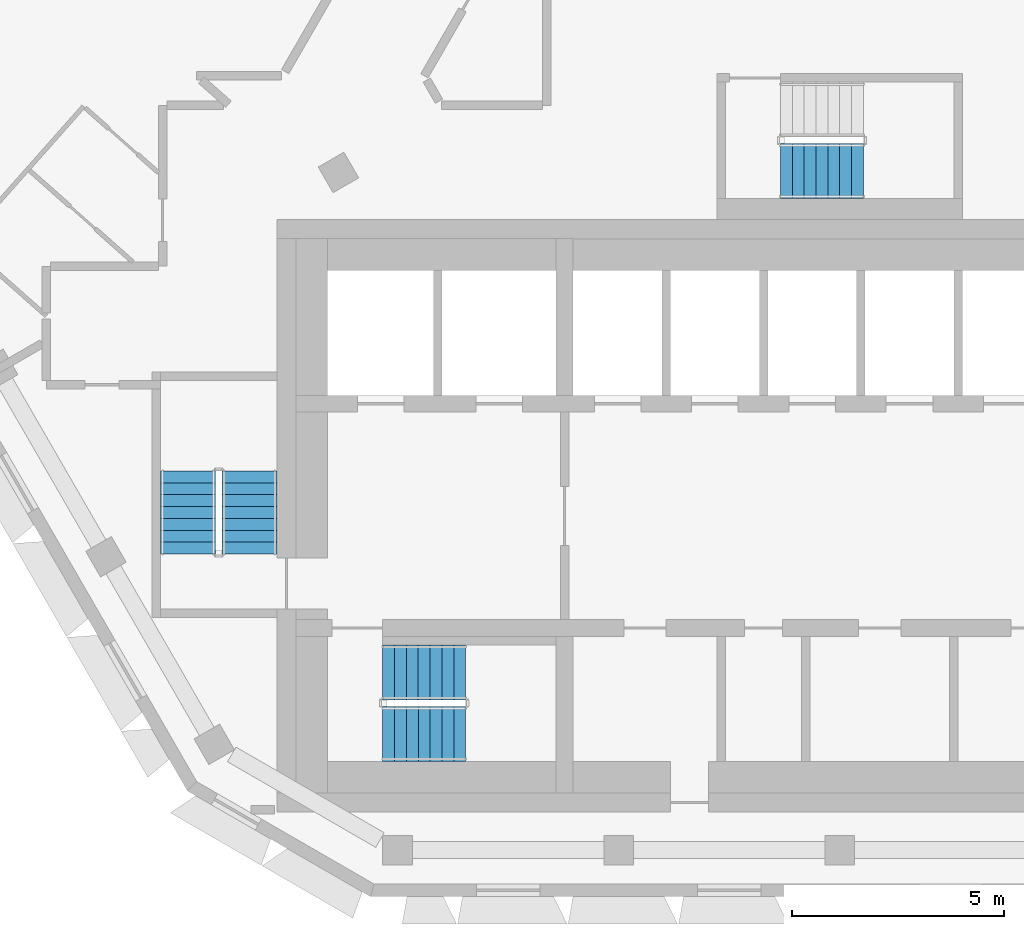
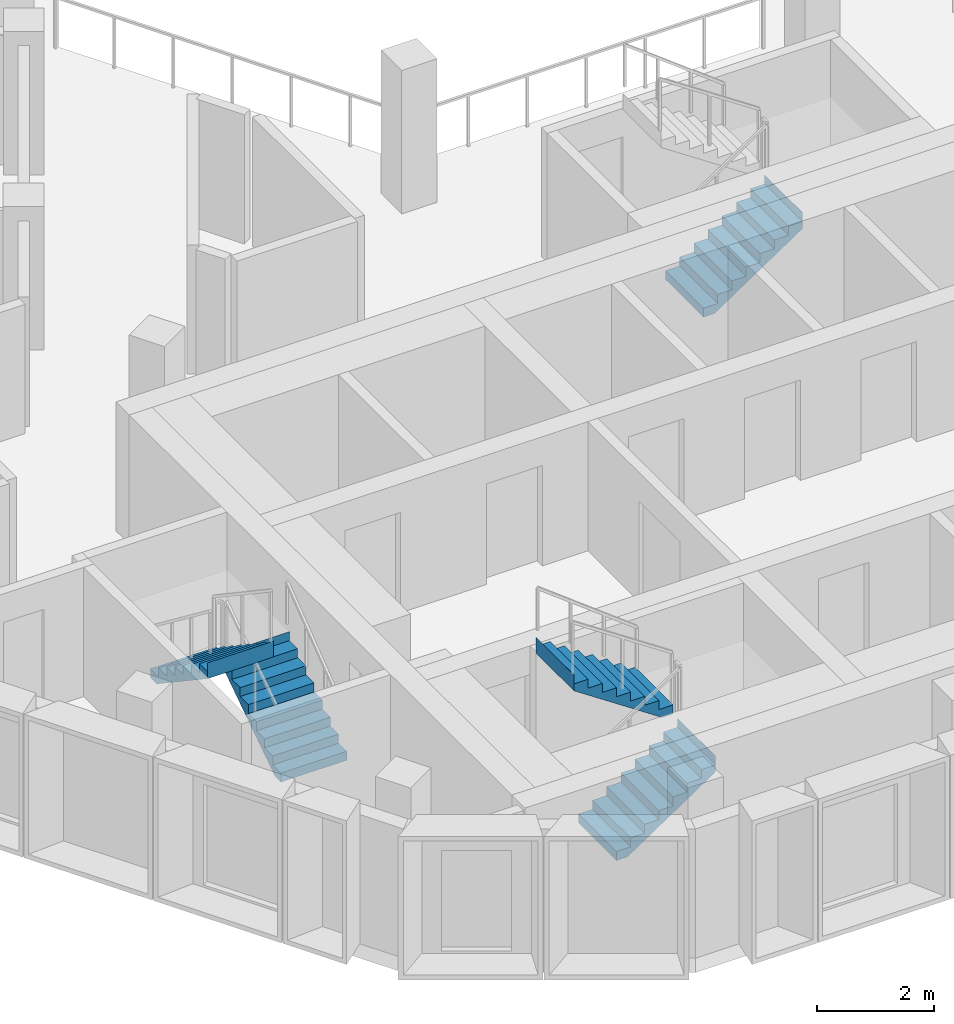
# One storey, part 8 of 14: 5 stair flights, 3 elements without a shape of their own.
"""IFC4 building model written with IfcOpenShell, lengths in metres."""

from ifc_helpers import new_model, si_unit, direction, frame, origin, place, context, subcontext, project, spatial, triangles, material, type_object, element, aggregate, save


model = new_model("IFC4")

# Units and contexts
model_context = context("Model", 3, precision=1e-05, world=origin(), true_north=direction((0.0, 1.0)))
body_context = subcontext(model_context, "Body", "Model", "MODEL_VIEW")
ifc_project = project(units=[si_unit("LENGTHUNIT", "METRE"), si_unit("AREAUNIT", "SQUARE_METRE"), si_unit("VOLUMEUNIT", "CUBIC_METRE"), si_unit("PLANEANGLEUNIT", "RADIAN"), si_unit("MASSUNIT", "GRAM", prefix="KILO")], contexts=[model_context])

# Site, building, storey
site_placement = place(None, origin())
site = spatial("IfcSite", under=ifc_project, at=site_placement, CompositionType="ELEMENT")
building_placement = place(site_placement, origin())
building = spatial("IfcBuilding", under=site, at=building_placement, Name="Beryl Residences", CompositionType="ELEMENT")
storey_placement = place(building_placement, frame((0.0, 0.0, 223.800048828125)))
storey = spatial("IfcBuildingStorey", under=building, at=storey_placement, Name="L69", CompositionType="ELEMENT", Elevation=223.800048828125)

# Stair, stair flights
ifc_material_1 = material(Name="Concrete C40/50", Category="concrete")
stair_type = type_object("IfcStairType", Name="ST1 protected exit stair, half-turn, 1300 mm flights", PredefinedType="HALF_TURN_STAIR", material=ifc_material_1)
stair_1_placement = place(storey_placement, origin())
stair_1 = element("IfcStair", 1, at=stair_1_placement, inside=storey, type_object=stair_type, Name="L69 PROTECTED EXIT STAIR ST-1", PredefinedType="HALF_TURN_STAIR")
ifc_material_2 = material(Name="Concrete C40/50", Category="concrete")
stair_flight_type = type_object("IfcStairFlightType", Name="SF1 stair flight 1300 mm", PredefinedType="STRAIGHT", material=ifc_material_2)
stair_flight_1_placement = place(storey_placement, frame((-10.800048828125, -17.14990234375, 0.0), z_axis=(0.0, 0.0, 1.0), x_axis=(1.0, 0.0, 0.0)))
stair_flight_1 = element("IfcStairFlight", 2, at=stair_flight_1_placement, type_object=stair_flight_type, Name="ST-1 flight 1", NumberOfRisers=8, NumberOfTreads=7, PredefinedType="STRAIGHT", RiserHeight=0.1875, TreadLength=0.28, context=body_context, shape_type="Tessellation", body=[
    triangles([(0.0, -0.64990234375, 0.0), (0.0, -0.324951171875, 0.0), (0.0, 0.0, 0.0), (0.0, 0.324951171875, 0.0), (0.0, 0.64990234375, 0.0), (0.0, -0.64990234375, 0.1875), (0.0, -0.324951171875, 0.1875), (0.0, 0.0, 0.1875), (0.0, 0.324951171875, 0.1875), (0.0, 0.64990234375, 0.1875), (0.280029296875, -0.64990234375, 0.1875), (0.280029296875, -0.324951171875, 0.1875), (0.280029296875, 0.0, 0.1875), (0.280029296875, 0.324951171875, 0.1875), (0.280029296875, 0.64990234375, 0.1875), (0.280029296875, -0.64990234375, 0.375), (0.280029296875, -0.324951171875, 0.375), (0.280029296875, 0.0, 0.375), (0.280029296875, 0.324951171875, 0.375), (0.280029296875, 0.64990234375, 0.375), (0.56005859375, -0.64990234375, 0.375), (0.56005859375, -0.324951171875, 0.375), (0.56005859375, 0.0, 0.375), (0.56005859375, 0.324951171875, 0.375), (0.56005859375, 0.64990234375, 0.375), (0.56005859375, -0.64990234375, 0.5625), (0.56005859375, -0.324951171875, 0.5625), (0.56005859375, 0.0, 0.5625), (0.56005859375, 0.324951171875, 0.5625), (0.56005859375, 0.64990234375, 0.5625), (0.840087890625, -0.64990234375, 0.5625), (0.840087890625, -0.324951171875, 0.5625), (0.840087890625, 0.0, 0.5625), (0.840087890625, 0.324951171875, 0.5625), (0.840087890625, 0.64990234375, 0.5625), (0.840087890625, -0.64990234375, 0.75), (0.840087890625, -0.324951171875, 0.75), (0.840087890625, 0.0, 0.75), (0.840087890625, 0.324951171875, 0.75), (0.840087890625, 0.64990234375, 0.75), (1.1201171875, -0.64990234375, 0.75), (1.1201171875, -0.324951171875, 0.75), (1.1201171875, 0.0, 0.75), (1.1201171875, 0.324951171875, 0.75), (1.1201171875, 0.64990234375, 0.75), (1.1201171875, -0.64990234375, 0.9375), (1.1201171875, -0.324951171875, 0.9375), (1.1201171875, 0.0, 0.9375), (1.1201171875, 0.324951171875, 0.9375), (1.1201171875, 0.64990234375, 0.9375), (1.39990234375, -0.64990234375, 0.9375), (1.39990234375, -0.324951171875, 0.9375), (1.39990234375, 0.0, 0.9375), (1.39990234375, 0.324951171875, 0.9375), (1.39990234375, 0.64990234375, 0.9375), (1.39990234375, -0.64990234375, 1.125), (1.39990234375, -0.324951171875, 1.125), (1.39990234375, 0.0, 1.125), (1.39990234375, 0.324951171875, 1.125), (1.39990234375, 0.64990234375, 1.125), (1.679931640625, -0.64990234375, 1.125), (1.679931640625, -0.324951171875, 1.125), (1.679931640625, 0.0, 1.125), (1.679931640625, 0.324951171875, 1.125), (1.679931640625, 0.64990234375, 1.125), (1.679931640625, -0.64990234375, 1.3125), (1.679931640625, -0.324951171875, 1.3125), (1.679931640625, 0.0, 1.3125), (1.679931640625, 0.324951171875, 1.3125), (1.679931640625, 0.64990234375, 1.3125), (1.9599609375, -0.64990234375, 1.3125), (1.9599609375, -0.324951171875, 1.3125), (1.9599609375, 0.0, 1.3125), (1.9599609375, 0.324951171875, 1.3125), (1.9599609375, 0.64990234375, 1.3125), (1.9599609375, -0.64990234375, 1.5), (1.9599609375, -0.324951171875, 1.5), (1.9599609375, 0.0, 1.5), (1.9599609375, 0.324951171875, 1.5), (1.9599609375, 0.64990234375, 1.5), (1.9609375, -0.64990234375, 1.5), (1.9609375, -0.324951171875, 1.5), (1.9609375, 0.0, 1.5), (1.9609375, 0.324951171875, 1.5), (1.9609375, 0.64990234375, 1.5), (1.9609375, -0.64990234375, 1.16796875), (1.9609375, -0.324951171875, 1.16796875), (1.9609375, 0.0, 1.16796875), (1.9609375, 0.324951171875, 1.16796875), (1.9609375, 0.64990234375, 1.16796875), (0.216796875, -0.64990234375, 0.0), (0.216796875, -0.324951171875, 0.0), (0.216796875, 0.0, 0.0), (0.216796875, 0.324951171875, 0.0), (0.216796875, 0.64990234375, 0.0)], [[1, 6, 7], [1, 7, 2], [2, 7, 8], [2, 8, 3], [3, 8, 9], [3, 9, 4], [4, 9, 10], [4, 10, 5], [6, 11, 12], [6, 12, 7], [7, 12, 13], [7, 13, 8], [8, 13, 14], [8, 14, 9], [9, 14, 15], [9, 15, 10], [11, 16, 17], [11, 17, 12], [12, 17, 18], [12, 18, 13], [13, 18, 19], [13, 19, 14], [14, 19, 20], [14, 20, 15], [16, 21, 22], [16, 22, 17], [17, 22, 23], [17, 23, 18], [18, 23, 24], [18, 24, 19], [19, 24, 25], [19, 25, 20], [21, 26, 27], [21, 27, 22], [22, 27, 28], [22, 28, 23], [23, 28, 29], [23, 29, 24], [24, 29, 30], [24, 30, 25], [26, 31, 32], [26, 32, 27], [27, 32, 33], [27, 33, 28], [28, 33, 34], [28, 34, 29], [29, 34, 35], [29, 35, 30], [31, 36, 37], [31, 37, 32], [32, 37, 38], [32, 38, 33], [33, 38, 39], [33, 39, 34], [34, 39, 40], [34, 40, 35], [36, 41, 42], [36, 42, 37], [37, 42, 43], [37, 43, 38], [38, 43, 44], [38, 44, 39], [39, 44, 45], [39, 45, 40], [41, 46, 47], [41, 47, 42], [42, 47, 48], [42, 48, 43], [43, 48, 49], [43, 49, 44], [44, 49, 50], [44, 50, 45], [46, 51, 52], [46, 52, 47], [47, 52, 53], [47, 53, 48], [48, 53, 54], [48, 54, 49], [49, 54, 55], [49, 55, 50], [51, 56, 57], [51, 57, 52], [52, 57, 58], [52, 58, 53], [53, 58, 59], [53, 59, 54], [54, 59, 60], [54, 60, 55], [56, 61, 62], [56, 62, 57], [57, 62, 63], [57, 63, 58], [58, 63, 64], [58, 64, 59], [59, 64, 65], [59, 65, 60], [61, 66, 67], [61, 67, 62], [62, 67, 68], [62, 68, 63], [63, 68, 69], [63, 69, 64], [64, 69, 70], [64, 70, 65], [66, 71, 72], [66, 72, 67], [67, 72, 73], [67, 73, 68], [68, 73, 74], [68, 74, 69], [69, 74, 75], [69, 75, 70], [71, 76, 77], [71, 77, 72], [72, 77, 78], [72, 78, 73], [73, 78, 79], [73, 79, 74], [74, 79, 80], [74, 80, 75], [76, 81, 82], [76, 82, 77], [77, 82, 83], [77, 83, 78], [78, 83, 84], [78, 84, 79], [79, 84, 85], [79, 85, 80], [81, 86, 87], [81, 87, 82], [82, 87, 88], [82, 88, 83], [83, 88, 89], [83, 89, 84], [84, 89, 90], [84, 90, 85], [86, 91, 92], [86, 92, 87], [87, 92, 93], [87, 93, 88], [88, 93, 94], [88, 94, 89], [89, 94, 95], [89, 95, 90], [91, 1, 2], [91, 2, 92], [92, 2, 3], [92, 3, 93], [93, 3, 4], [93, 4, 94], [94, 4, 5], [94, 5, 95], [1, 91, 86], [5, 90, 95], [86, 81, 76], [90, 80, 85], [86, 76, 71], [90, 75, 80], [86, 71, 66], [90, 70, 75], [86, 66, 61], [90, 65, 70], [61, 56, 51], [65, 55, 60], [86, 61, 51], [90, 55, 65], [51, 46, 41], [55, 45, 50], [86, 51, 41], [90, 45, 55], [41, 36, 31], [45, 35, 40], [86, 41, 31], [90, 35, 45], [31, 26, 21], [35, 25, 30], [86, 31, 21], [90, 25, 35], [21, 16, 11], [25, 15, 20], [86, 21, 11], [90, 15, 25], [1, 86, 11], [5, 15, 90], [11, 6, 1], [15, 5, 10]], closed=True),
])
stair_flight_2_placement = place(storey_placement, frame((-8.840087890625, -15.699951171875, 1.5), z_axis=(0.0, 0.0, 1.0), x_axis=(-1.0, 0.0, 0.0)))
stair_flight_2 = element("IfcStairFlight", 3, at=stair_flight_2_placement, type_object=stair_flight_type, Name="ST-1 flight 2", NumberOfRisers=8, NumberOfTreads=7, PredefinedType="STRAIGHT", RiserHeight=0.1875, TreadLength=0.28, context=body_context, shape_type="Tessellation", body=[
    triangles([(0.0, -0.64990234375, 0.0), (0.0, -0.324951171875, 0.0), (0.0, 0.0, 0.0), (0.0, 0.324951171875, 0.0), (0.0, 0.64990234375, 0.0), (0.0, -0.64990234375, 0.1875), (0.0, -0.324951171875, 0.1875), (0.0, 0.0, 0.1875), (0.0, 0.324951171875, 0.1875), (0.0, 0.64990234375, 0.1875), (0.280029296875, -0.64990234375, 0.1875), (0.280029296875, -0.324951171875, 0.1875), (0.280029296875, 0.0, 0.1875), (0.280029296875, 0.324951171875, 0.1875), (0.280029296875, 0.64990234375, 0.1875), (0.280029296875, -0.64990234375, 0.375), (0.280029296875, -0.324951171875, 0.375), (0.280029296875, 0.0, 0.375), (0.280029296875, 0.324951171875, 0.375), (0.280029296875, 0.64990234375, 0.375), (0.56005859375, -0.64990234375, 0.375), (0.56005859375, -0.324951171875, 0.375), (0.56005859375, 0.0, 0.375), (0.56005859375, 0.324951171875, 0.375), (0.56005859375, 0.64990234375, 0.375), (0.56005859375, -0.64990234375, 0.5625), (0.56005859375, -0.324951171875, 0.5625), (0.56005859375, 0.0, 0.5625), (0.56005859375, 0.324951171875, 0.5625), (0.56005859375, 0.64990234375, 0.5625), (0.840087890625, -0.64990234375, 0.5625), (0.840087890625, -0.324951171875, 0.5625), (0.840087890625, 0.0, 0.5625), (0.840087890625, 0.324951171875, 0.5625), (0.840087890625, 0.64990234375, 0.5625), (0.840087890625, -0.64990234375, 0.75), (0.840087890625, -0.324951171875, 0.75), (0.840087890625, 0.0, 0.75), (0.840087890625, 0.324951171875, 0.75), (0.840087890625, 0.64990234375, 0.75), (1.1201171875, -0.64990234375, 0.75), (1.1201171875, -0.324951171875, 0.75), (1.1201171875, 0.0, 0.75), (1.1201171875, 0.324951171875, 0.75), (1.1201171875, 0.64990234375, 0.75), (1.1201171875, -0.64990234375, 0.9375), (1.1201171875, -0.324951171875, 0.9375), (1.1201171875, 0.0, 0.9375), (1.1201171875, 0.324951171875, 0.9375), (1.1201171875, 0.64990234375, 0.9375), (1.39990234375, -0.64990234375, 0.9375), (1.39990234375, -0.324951171875, 0.9375), (1.39990234375, 0.0, 0.9375), (1.39990234375, 0.324951171875, 0.9375), (1.39990234375, 0.64990234375, 0.9375), (1.39990234375, -0.64990234375, 1.125), (1.39990234375, -0.324951171875, 1.125), (1.39990234375, 0.0, 1.125), (1.39990234375, 0.324951171875, 1.125), (1.39990234375, 0.64990234375, 1.125), (1.679931640625, -0.64990234375, 1.125), (1.679931640625, -0.324951171875, 1.125), (1.679931640625, 0.0, 1.125), (1.679931640625, 0.324951171875, 1.125), (1.679931640625, 0.64990234375, 1.125), (1.679931640625, -0.64990234375, 1.3125), (1.679931640625, -0.324951171875, 1.3125), (1.679931640625, 0.0, 1.3125), (1.679931640625, 0.324951171875, 1.3125), (1.679931640625, 0.64990234375, 1.3125), (1.9599609375, -0.64990234375, 1.3125), (1.9599609375, -0.324951171875, 1.3125), (1.9599609375, 0.0, 1.3125), (1.9599609375, 0.324951171875, 1.3125), (1.9599609375, 0.64990234375, 1.3125), (1.9599609375, -0.64990234375, 1.5), (1.9599609375, -0.324951171875, 1.5), (1.9599609375, 0.0, 1.5), (1.9599609375, 0.324951171875, 1.5), (1.9599609375, 0.64990234375, 1.5), (1.9609375, -0.64990234375, 1.5), (1.9609375, -0.324951171875, 1.5), (1.9609375, 0.0, 1.5), (1.9609375, 0.324951171875, 1.5), (1.9609375, 0.64990234375, 1.5), (1.9609375, -0.64990234375, 1.16796875), (1.9609375, -0.324951171875, 1.16796875), (1.9609375, 0.0, 1.16796875), (1.9609375, 0.324951171875, 1.16796875), (1.9609375, 0.64990234375, 1.16796875), (0.216796875, -0.64990234375, 0.0), (0.216796875, -0.324951171875, 0.0), (0.216796875, 0.0, 0.0), (0.216796875, 0.324951171875, 0.0), (0.216796875, 0.64990234375, 0.0)], [[1, 6, 7], [1, 7, 2], [2, 7, 8], [2, 8, 3], [3, 8, 9], [3, 9, 4], [4, 9, 10], [4, 10, 5], [6, 11, 12], [6, 12, 7], [7, 12, 13], [7, 13, 8], [8, 13, 14], [8, 14, 9], [9, 14, 15], [9, 15, 10], [11, 16, 17], [11, 17, 12], [12, 17, 18], [12, 18, 13], [13, 18, 19], [13, 19, 14], [14, 19, 20], [14, 20, 15], [16, 21, 22], [16, 22, 17], [17, 22, 23], [17, 23, 18], [18, 23, 24], [18, 24, 19], [19, 24, 25], [19, 25, 20], [21, 26, 27], [21, 27, 22], [22, 27, 28], [22, 28, 23], [23, 28, 29], [23, 29, 24], [24, 29, 30], [24, 30, 25], [26, 31, 32], [26, 32, 27], [27, 32, 33], [27, 33, 28], [28, 33, 34], [28, 34, 29], [29, 34, 35], [29, 35, 30], [31, 36, 37], [31, 37, 32], [32, 37, 38], [32, 38, 33], [33, 38, 39], [33, 39, 34], [34, 39, 40], [34, 40, 35], [36, 41, 42], [36, 42, 37], [37, 42, 43], [37, 43, 38], [38, 43, 44], [38, 44, 39], [39, 44, 45], [39, 45, 40], [41, 46, 47], [41, 47, 42], [42, 47, 48], [42, 48, 43], [43, 48, 49], [43, 49, 44], [44, 49, 50], [44, 50, 45], [46, 51, 52], [46, 52, 47], [47, 52, 53], [47, 53, 48], [48, 53, 54], [48, 54, 49], [49, 54, 55], [49, 55, 50], [51, 56, 57], [51, 57, 52], [52, 57, 58], [52, 58, 53], [53, 58, 59], [53, 59, 54], [54, 59, 60], [54, 60, 55], [56, 61, 62], [56, 62, 57], [57, 62, 63], [57, 63, 58], [58, 63, 64], [58, 64, 59], [59, 64, 65], [59, 65, 60], [61, 66, 67], [61, 67, 62], [62, 67, 68], [62, 68, 63], [63, 68, 69], [63, 69, 64], [64, 69, 70], [64, 70, 65], [66, 71, 72], [66, 72, 67], [67, 72, 73], [67, 73, 68], [68, 73, 74], [68, 74, 69], [69, 74, 75], [69, 75, 70], [71, 76, 77], [71, 77, 72], [72, 77, 78], [72, 78, 73], [73, 78, 79], [73, 79, 74], [74, 79, 80], [74, 80, 75], [76, 81, 82], [76, 82, 77], [77, 82, 83], [77, 83, 78], [78, 83, 84], [78, 84, 79], [79, 84, 85], [79, 85, 80], [81, 86, 87], [81, 87, 82], [82, 87, 88], [82, 88, 83], [83, 88, 89], [83, 89, 84], [84, 89, 90], [84, 90, 85], [86, 91, 92], [86, 92, 87], [87, 92, 93], [87, 93, 88], [88, 93, 94], [88, 94, 89], [89, 94, 95], [89, 95, 90], [91, 1, 2], [91, 2, 92], [92, 2, 3], [92, 3, 93], [93, 3, 4], [93, 4, 94], [94, 4, 5], [94, 5, 95], [1, 91, 86], [5, 90, 95], [86, 81, 76], [90, 80, 85], [86, 76, 71], [90, 75, 80], [86, 71, 66], [90, 70, 75], [86, 66, 61], [90, 65, 70], [61, 56, 51], [65, 55, 60], [86, 61, 51], [90, 55, 65], [51, 46, 41], [55, 45, 50], [86, 51, 41], [90, 45, 55], [41, 36, 31], [45, 35, 40], [86, 41, 31], [90, 35, 45], [31, 26, 21], [35, 25, 30], [86, 31, 21], [90, 25, 35], [21, 16, 11], [25, 15, 20], [86, 21, 11], [90, 15, 25], [1, 86, 11], [5, 15, 90], [11, 6, 1], [15, 5, 10]], closed=True),
])
aggregate(stair_1, [stair_flight_1, stair_flight_2])

stair_2_placement = place(storey_placement, origin())
stair_2 = element("IfcStair", 4, at=stair_2_placement, inside=storey, type_object=stair_type, Name="L69 PROTECTED EXIT STAIR ST-2", PredefinedType="HALF_TURN_STAIR")
stair_flight_3_placement = place(storey_placement, frame((-13.949951171875, -12.89990234375, 0.0), z_axis=(0.0, 0.0, 1.0), x_axis=(0.0, 1.0, 0.0)))
stair_flight_3 = element("IfcStairFlight", 5, at=stair_flight_3_placement, type_object=stair_flight_type, Name="ST-2 flight 1", NumberOfRisers=8, NumberOfTreads=7, PredefinedType="STRAIGHT", RiserHeight=0.1875, TreadLength=0.28, context=body_context, shape_type="Tessellation", body=[
    triangles([(0.0, -0.64990234375, 0.0), (0.0, -0.324951171875, 0.0), (0.0, 0.0, 0.0), (0.0, 0.324951171875, 0.0), (0.0, 0.64990234375, 0.0), (0.0, -0.64990234375, 0.1875), (0.0, -0.324951171875, 0.1875), (0.0, 0.0, 0.1875), (0.0, 0.324951171875, 0.1875), (0.0, 0.64990234375, 0.1875), (0.280029296875, -0.64990234375, 0.1875), (0.280029296875, -0.324951171875, 0.1875), (0.280029296875, 0.0, 0.1875), (0.280029296875, 0.324951171875, 0.1875), (0.280029296875, 0.64990234375, 0.1875), (0.280029296875, -0.64990234375, 0.375), (0.280029296875, -0.324951171875, 0.375), (0.280029296875, 0.0, 0.375), (0.280029296875, 0.324951171875, 0.375), (0.280029296875, 0.64990234375, 0.375), (0.56005859375, -0.64990234375, 0.375), (0.56005859375, -0.324951171875, 0.375), (0.56005859375, 0.0, 0.375), (0.56005859375, 0.324951171875, 0.375), (0.56005859375, 0.64990234375, 0.375), (0.56005859375, -0.64990234375, 0.5625), (0.56005859375, -0.324951171875, 0.5625), (0.56005859375, 0.0, 0.5625), (0.56005859375, 0.324951171875, 0.5625), (0.56005859375, 0.64990234375, 0.5625), (0.840087890625, -0.64990234375, 0.5625), (0.840087890625, -0.324951171875, 0.5625), (0.840087890625, 0.0, 0.5625), (0.840087890625, 0.324951171875, 0.5625), (0.840087890625, 0.64990234375, 0.5625), (0.840087890625, -0.64990234375, 0.75), (0.840087890625, -0.324951171875, 0.75), (0.840087890625, 0.0, 0.75), (0.840087890625, 0.324951171875, 0.75), (0.840087890625, 0.64990234375, 0.75), (1.1201171875, -0.64990234375, 0.75), (1.1201171875, -0.324951171875, 0.75), (1.1201171875, 0.0, 0.75), (1.1201171875, 0.324951171875, 0.75), (1.1201171875, 0.64990234375, 0.75), (1.1201171875, -0.64990234375, 0.9375), (1.1201171875, -0.324951171875, 0.9375), (1.1201171875, 0.0, 0.9375), (1.1201171875, 0.324951171875, 0.9375), (1.1201171875, 0.64990234375, 0.9375), (1.39990234375, -0.64990234375, 0.9375), (1.39990234375, -0.324951171875, 0.9375), (1.39990234375, 0.0, 0.9375), (1.39990234375, 0.324951171875, 0.9375), (1.39990234375, 0.64990234375, 0.9375), (1.39990234375, -0.64990234375, 1.125), (1.39990234375, -0.324951171875, 1.125), (1.39990234375, 0.0, 1.125), (1.39990234375, 0.324951171875, 1.125), (1.39990234375, 0.64990234375, 1.125), (1.679931640625, -0.64990234375, 1.125), (1.679931640625, -0.324951171875, 1.125), (1.679931640625, 0.0, 1.125), (1.679931640625, 0.324951171875, 1.125), (1.679931640625, 0.64990234375, 1.125), (1.679931640625, -0.64990234375, 1.3125), (1.679931640625, -0.324951171875, 1.3125), (1.679931640625, 0.0, 1.3125), (1.679931640625, 0.324951171875, 1.3125), (1.679931640625, 0.64990234375, 1.3125), (1.9599609375, -0.64990234375, 1.3125), (1.9599609375, -0.324951171875, 1.3125), (1.9599609375, 0.0, 1.3125), (1.9599609375, 0.324951171875, 1.3125), (1.9599609375, 0.64990234375, 1.3125), (1.9599609375, -0.64990234375, 1.5), (1.9599609375, -0.324951171875, 1.5), (1.9599609375, 0.0, 1.5), (1.9599609375, 0.324951171875, 1.5), (1.9599609375, 0.64990234375, 1.5), (1.9609375, -0.64990234375, 1.5), (1.9609375, -0.324951171875, 1.5), (1.9609375, 0.0, 1.5), (1.9609375, 0.324951171875, 1.5), (1.9609375, 0.64990234375, 1.5), (1.9609375, -0.64990234375, 1.16796875), (1.9609375, -0.324951171875, 1.16796875), (1.9609375, 0.0, 1.16796875), (1.9609375, 0.324951171875, 1.16796875), (1.9609375, 0.64990234375, 1.16796875), (0.216796875, -0.64990234375, 0.0), (0.216796875, -0.324951171875, 0.0), (0.216796875, 0.0, 0.0), (0.216796875, 0.324951171875, 0.0), (0.216796875, 0.64990234375, 0.0)], [[1, 6, 7], [1, 7, 2], [2, 7, 8], [2, 8, 3], [3, 8, 9], [3, 9, 4], [4, 9, 10], [4, 10, 5], [6, 11, 12], [6, 12, 7], [7, 12, 13], [7, 13, 8], [8, 13, 14], [8, 14, 9], [9, 14, 15], [9, 15, 10], [11, 16, 17], [11, 17, 12], [12, 17, 18], [12, 18, 13], [13, 18, 19], [13, 19, 14], [14, 19, 20], [14, 20, 15], [16, 21, 22], [16, 22, 17], [17, 22, 23], [17, 23, 18], [18, 23, 24], [18, 24, 19], [19, 24, 25], [19, 25, 20], [21, 26, 27], [21, 27, 22], [22, 27, 28], [22, 28, 23], [23, 28, 29], [23, 29, 24], [24, 29, 30], [24, 30, 25], [26, 31, 32], [26, 32, 27], [27, 32, 33], [27, 33, 28], [28, 33, 34], [28, 34, 29], [29, 34, 35], [29, 35, 30], [31, 36, 37], [31, 37, 32], [32, 37, 38], [32, 38, 33], [33, 38, 39], [33, 39, 34], [34, 39, 40], [34, 40, 35], [36, 41, 42], [36, 42, 37], [37, 42, 43], [37, 43, 38], [38, 43, 44], [38, 44, 39], [39, 44, 45], [39, 45, 40], [41, 46, 47], [41, 47, 42], [42, 47, 48], [42, 48, 43], [43, 48, 49], [43, 49, 44], [44, 49, 50], [44, 50, 45], [46, 51, 52], [46, 52, 47], [47, 52, 53], [47, 53, 48], [48, 53, 54], [48, 54, 49], [49, 54, 55], [49, 55, 50], [51, 56, 57], [51, 57, 52], [52, 57, 58], [52, 58, 53], [53, 58, 59], [53, 59, 54], [54, 59, 60], [54, 60, 55], [56, 61, 62], [56, 62, 57], [57, 62, 63], [57, 63, 58], [58, 63, 64], [58, 64, 59], [59, 64, 65], [59, 65, 60], [61, 66, 67], [61, 67, 62], [62, 67, 68], [62, 68, 63], [63, 68, 69], [63, 69, 64], [64, 69, 70], [64, 70, 65], [66, 71, 72], [66, 72, 67], [67, 72, 73], [67, 73, 68], [68, 73, 74], [68, 74, 69], [69, 74, 75], [69, 75, 70], [71, 76, 77], [71, 77, 72], [72, 77, 78], [72, 78, 73], [73, 78, 79], [73, 79, 74], [74, 79, 80], [74, 80, 75], [76, 81, 82], [76, 82, 77], [77, 82, 83], [77, 83, 78], [78, 83, 84], [78, 84, 79], [79, 84, 85], [79, 85, 80], [81, 86, 87], [81, 87, 82], [82, 87, 88], [82, 88, 83], [83, 88, 89], [83, 89, 84], [84, 89, 90], [84, 90, 85], [86, 91, 92], [86, 92, 87], [87, 92, 93], [87, 93, 88], [88, 93, 94], [88, 94, 89], [89, 94, 95], [89, 95, 90], [91, 1, 2], [91, 2, 92], [92, 2, 3], [92, 3, 93], [93, 3, 4], [93, 4, 94], [94, 4, 5], [94, 5, 95], [1, 91, 86], [5, 90, 95], [86, 81, 76], [90, 80, 85], [86, 76, 71], [90, 75, 80], [86, 71, 66], [90, 70, 75], [86, 66, 61], [90, 65, 70], [61, 56, 51], [65, 55, 60], [86, 61, 51], [90, 55, 65], [51, 46, 41], [55, 45, 50], [86, 51, 41], [90, 45, 55], [41, 36, 31], [45, 35, 40], [86, 41, 31], [90, 35, 45], [31, 26, 21], [35, 25, 30], [86, 31, 21], [90, 25, 35], [21, 16, 11], [25, 15, 20], [86, 21, 11], [90, 15, 25], [1, 86, 11], [5, 15, 90], [11, 6, 1], [15, 5, 10]], closed=True),
])
stair_flight_4_placement = place(storey_placement, frame((-15.39990234375, -10.93994140625, 1.5), z_axis=(0.0, 0.0, 1.0), x_axis=(0.0, -1.0, 0.0)))
stair_flight_4 = element("IfcStairFlight", 6, at=stair_flight_4_placement, type_object=stair_flight_type, Name="ST-2 flight 2", NumberOfRisers=8, NumberOfTreads=7, PredefinedType="STRAIGHT", RiserHeight=0.1875, TreadLength=0.28, context=body_context, shape_type="Tessellation", body=[
    triangles([(0.0, -0.64990234375, 0.0), (0.0, -0.324951171875, 0.0), (0.0, 0.0, 0.0), (0.0, 0.324951171875, 0.0), (0.0, 0.64990234375, 0.0), (0.0, -0.64990234375, 0.1875), (0.0, -0.324951171875, 0.1875), (0.0, 0.0, 0.1875), (0.0, 0.324951171875, 0.1875), (0.0, 0.64990234375, 0.1875), (0.280029296875, -0.64990234375, 0.1875), (0.280029296875, -0.324951171875, 0.1875), (0.280029296875, 0.0, 0.1875), (0.280029296875, 0.324951171875, 0.1875), (0.280029296875, 0.64990234375, 0.1875), (0.280029296875, -0.64990234375, 0.375), (0.280029296875, -0.324951171875, 0.375), (0.280029296875, 0.0, 0.375), (0.280029296875, 0.324951171875, 0.375), (0.280029296875, 0.64990234375, 0.375), (0.56005859375, -0.64990234375, 0.375), (0.56005859375, -0.324951171875, 0.375), (0.56005859375, 0.0, 0.375), (0.56005859375, 0.324951171875, 0.375), (0.56005859375, 0.64990234375, 0.375), (0.56005859375, -0.64990234375, 0.5625), (0.56005859375, -0.324951171875, 0.5625), (0.56005859375, 0.0, 0.5625), (0.56005859375, 0.324951171875, 0.5625), (0.56005859375, 0.64990234375, 0.5625), (0.840087890625, -0.64990234375, 0.5625), (0.840087890625, -0.324951171875, 0.5625), (0.840087890625, 0.0, 0.5625), (0.840087890625, 0.324951171875, 0.5625), (0.840087890625, 0.64990234375, 0.5625), (0.840087890625, -0.64990234375, 0.75), (0.840087890625, -0.324951171875, 0.75), (0.840087890625, 0.0, 0.75), (0.840087890625, 0.324951171875, 0.75), (0.840087890625, 0.64990234375, 0.75), (1.1201171875, -0.64990234375, 0.75), (1.1201171875, -0.324951171875, 0.75), (1.1201171875, 0.0, 0.75), (1.1201171875, 0.324951171875, 0.75), (1.1201171875, 0.64990234375, 0.75), (1.1201171875, -0.64990234375, 0.9375), (1.1201171875, -0.324951171875, 0.9375), (1.1201171875, 0.0, 0.9375), (1.1201171875, 0.324951171875, 0.9375), (1.1201171875, 0.64990234375, 0.9375), (1.39990234375, -0.64990234375, 0.9375), (1.39990234375, -0.324951171875, 0.9375), (1.39990234375, 0.0, 0.9375), (1.39990234375, 0.324951171875, 0.9375), (1.39990234375, 0.64990234375, 0.9375), (1.39990234375, -0.64990234375, 1.125), (1.39990234375, -0.324951171875, 1.125), (1.39990234375, 0.0, 1.125), (1.39990234375, 0.324951171875, 1.125), (1.39990234375, 0.64990234375, 1.125), (1.679931640625, -0.64990234375, 1.125), (1.679931640625, -0.324951171875, 1.125), (1.679931640625, 0.0, 1.125), (1.679931640625, 0.324951171875, 1.125), (1.679931640625, 0.64990234375, 1.125), (1.679931640625, -0.64990234375, 1.3125), (1.679931640625, -0.324951171875, 1.3125), (1.679931640625, 0.0, 1.3125), (1.679931640625, 0.324951171875, 1.3125), (1.679931640625, 0.64990234375, 1.3125), (1.9599609375, -0.64990234375, 1.3125), (1.9599609375, -0.324951171875, 1.3125), (1.9599609375, 0.0, 1.3125), (1.9599609375, 0.324951171875, 1.3125), (1.9599609375, 0.64990234375, 1.3125), (1.9599609375, -0.64990234375, 1.5), (1.9599609375, -0.324951171875, 1.5), (1.9599609375, 0.0, 1.5), (1.9599609375, 0.324951171875, 1.5), (1.9599609375, 0.64990234375, 1.5), (1.9609375, -0.64990234375, 1.5), (1.9609375, -0.324951171875, 1.5), (1.9609375, 0.0, 1.5), (1.9609375, 0.324951171875, 1.5), (1.9609375, 0.64990234375, 1.5), (1.9609375, -0.64990234375, 1.16796875), (1.9609375, -0.324951171875, 1.16796875), (1.9609375, 0.0, 1.16796875), (1.9609375, 0.324951171875, 1.16796875), (1.9609375, 0.64990234375, 1.16796875), (0.216796875, -0.64990234375, 0.0), (0.216796875, -0.324951171875, 0.0), (0.216796875, 0.0, 0.0), (0.216796875, 0.324951171875, 0.0), (0.216796875, 0.64990234375, 0.0)], [[1, 6, 7], [1, 7, 2], [2, 7, 8], [2, 8, 3], [3, 8, 9], [3, 9, 4], [4, 9, 10], [4, 10, 5], [6, 11, 12], [6, 12, 7], [7, 12, 13], [7, 13, 8], [8, 13, 14], [8, 14, 9], [9, 14, 15], [9, 15, 10], [11, 16, 17], [11, 17, 12], [12, 17, 18], [12, 18, 13], [13, 18, 19], [13, 19, 14], [14, 19, 20], [14, 20, 15], [16, 21, 22], [16, 22, 17], [17, 22, 23], [17, 23, 18], [18, 23, 24], [18, 24, 19], [19, 24, 25], [19, 25, 20], [21, 26, 27], [21, 27, 22], [22, 27, 28], [22, 28, 23], [23, 28, 29], [23, 29, 24], [24, 29, 30], [24, 30, 25], [26, 31, 32], [26, 32, 27], [27, 32, 33], [27, 33, 28], [28, 33, 34], [28, 34, 29], [29, 34, 35], [29, 35, 30], [31, 36, 37], [31, 37, 32], [32, 37, 38], [32, 38, 33], [33, 38, 39], [33, 39, 34], [34, 39, 40], [34, 40, 35], [36, 41, 42], [36, 42, 37], [37, 42, 43], [37, 43, 38], [38, 43, 44], [38, 44, 39], [39, 44, 45], [39, 45, 40], [41, 46, 47], [41, 47, 42], [42, 47, 48], [42, 48, 43], [43, 48, 49], [43, 49, 44], [44, 49, 50], [44, 50, 45], [46, 51, 52], [46, 52, 47], [47, 52, 53], [47, 53, 48], [48, 53, 54], [48, 54, 49], [49, 54, 55], [49, 55, 50], [51, 56, 57], [51, 57, 52], [52, 57, 58], [52, 58, 53], [53, 58, 59], [53, 59, 54], [54, 59, 60], [54, 60, 55], [56, 61, 62], [56, 62, 57], [57, 62, 63], [57, 63, 58], [58, 63, 64], [58, 64, 59], [59, 64, 65], [59, 65, 60], [61, 66, 67], [61, 67, 62], [62, 67, 68], [62, 68, 63], [63, 68, 69], [63, 69, 64], [64, 69, 70], [64, 70, 65], [66, 71, 72], [66, 72, 67], [67, 72, 73], [67, 73, 68], [68, 73, 74], [68, 74, 69], [69, 74, 75], [69, 75, 70], [71, 76, 77], [71, 77, 72], [72, 77, 78], [72, 78, 73], [73, 78, 79], [73, 79, 74], [74, 79, 80], [74, 80, 75], [76, 81, 82], [76, 82, 77], [77, 82, 83], [77, 83, 78], [78, 83, 84], [78, 84, 79], [79, 84, 85], [79, 85, 80], [81, 86, 87], [81, 87, 82], [82, 87, 88], [82, 88, 83], [83, 88, 89], [83, 89, 84], [84, 89, 90], [84, 90, 85], [86, 91, 92], [86, 92, 87], [87, 92, 93], [87, 93, 88], [88, 93, 94], [88, 94, 89], [89, 94, 95], [89, 95, 90], [91, 1, 2], [91, 2, 92], [92, 2, 3], [92, 3, 93], [93, 3, 4], [93, 4, 94], [94, 4, 5], [94, 5, 95], [1, 91, 86], [5, 90, 95], [86, 81, 76], [90, 80, 85], [86, 76, 71], [90, 75, 80], [86, 71, 66], [90, 70, 75], [86, 66, 61], [90, 65, 70], [61, 56, 51], [65, 55, 60], [86, 61, 51], [90, 55, 65], [51, 46, 41], [55, 45, 50], [86, 51, 41], [90, 45, 55], [41, 36, 31], [45, 35, 40], [86, 41, 31], [90, 35, 45], [31, 26, 21], [35, 25, 30], [86, 31, 21], [90, 25, 35], [21, 16, 11], [25, 15, 20], [86, 21, 11], [90, 15, 25], [1, 86, 11], [5, 15, 90], [11, 6, 1], [15, 5, 10]], closed=True),
])
aggregate(stair_2, [stair_flight_3, stair_flight_4])

# Stair, stair flight
stair_3_placement = place(storey_placement, origin())
stair_3 = element("IfcStair", 7, at=stair_3_placement, inside=storey, type_object=stair_type, Name="L69 PROTECTED EXIT STAIR ST-4", PredefinedType="HALF_TURN_STAIR")
stair_flight_5_placement = place(storey_placement, frame((-1.39990234375, -3.85009765625, 0.0), z_axis=(0.0, 0.0, 1.0), x_axis=(1.0, 0.0, 0.0)))
stair_flight_5 = element("IfcStairFlight", 8, at=stair_flight_5_placement, type_object=stair_flight_type, Name="ST-4 flight 1", NumberOfRisers=8, NumberOfTreads=7, PredefinedType="STRAIGHT", RiserHeight=0.1875, TreadLength=0.28, context=body_context, shape_type="Tessellation", body=[
    triangles([(0.0, -0.64990234375, 0.0), (0.0, -0.324951171875, 0.0), (0.0, 0.0, 0.0), (0.0, 0.324951171875, 0.0), (0.0, 0.64990234375, 0.0), (0.0, -0.64990234375, 0.1875), (0.0, -0.324951171875, 0.1875), (0.0, 0.0, 0.1875), (0.0, 0.324951171875, 0.1875), (0.0, 0.64990234375, 0.1875), (0.280029296875, -0.64990234375, 0.1875), (0.280029296875, -0.324951171875, 0.1875), (0.280029296875, 0.0, 0.1875), (0.280029296875, 0.324951171875, 0.1875), (0.280029296875, 0.64990234375, 0.1875), (0.280029296875, -0.64990234375, 0.375), (0.280029296875, -0.324951171875, 0.375), (0.280029296875, 0.0, 0.375), (0.280029296875, 0.324951171875, 0.375), (0.280029296875, 0.64990234375, 0.375), (0.56005859375, -0.64990234375, 0.375), (0.56005859375, -0.324951171875, 0.375), (0.56005859375, 0.0, 0.375), (0.56005859375, 0.324951171875, 0.375), (0.56005859375, 0.64990234375, 0.375), (0.56005859375, -0.64990234375, 0.5625), (0.56005859375, -0.324951171875, 0.5625), (0.56005859375, 0.0, 0.5625), (0.56005859375, 0.324951171875, 0.5625), (0.56005859375, 0.64990234375, 0.5625), (0.840087890625, -0.64990234375, 0.5625), (0.840087890625, -0.324951171875, 0.5625), (0.840087890625, 0.0, 0.5625), (0.840087890625, 0.324951171875, 0.5625), (0.840087890625, 0.64990234375, 0.5625), (0.840087890625, -0.64990234375, 0.75), (0.840087890625, -0.324951171875, 0.75), (0.840087890625, 0.0, 0.75), (0.840087890625, 0.324951171875, 0.75), (0.840087890625, 0.64990234375, 0.75), (1.1201171875, -0.64990234375, 0.75), (1.1201171875, -0.324951171875, 0.75), (1.1201171875, 0.0, 0.75), (1.1201171875, 0.324951171875, 0.75), (1.1201171875, 0.64990234375, 0.75), (1.1201171875, -0.64990234375, 0.9375), (1.1201171875, -0.324951171875, 0.9375), (1.1201171875, 0.0, 0.9375), (1.1201171875, 0.324951171875, 0.9375), (1.1201171875, 0.64990234375, 0.9375), (1.39990234375, -0.64990234375, 0.9375), (1.39990234375, -0.324951171875, 0.9375), (1.39990234375, 0.0, 0.9375), (1.39990234375, 0.324951171875, 0.9375), (1.39990234375, 0.64990234375, 0.9375), (1.39990234375, -0.64990234375, 1.125), (1.39990234375, -0.324951171875, 1.125), (1.39990234375, 0.0, 1.125), (1.39990234375, 0.324951171875, 1.125), (1.39990234375, 0.64990234375, 1.125), (1.679931640625, -0.64990234375, 1.125), (1.679931640625, -0.324951171875, 1.125), (1.679931640625, 0.0, 1.125), (1.679931640625, 0.324951171875, 1.125), (1.679931640625, 0.64990234375, 1.125), (1.679931640625, -0.64990234375, 1.3125), (1.679931640625, -0.324951171875, 1.3125), (1.679931640625, 0.0, 1.3125), (1.679931640625, 0.324951171875, 1.3125), (1.679931640625, 0.64990234375, 1.3125), (1.9599609375, -0.64990234375, 1.3125), (1.9599609375, -0.324951171875, 1.3125), (1.9599609375, 0.0, 1.3125), (1.9599609375, 0.324951171875, 1.3125), (1.9599609375, 0.64990234375, 1.3125), (1.9599609375, -0.64990234375, 1.5), (1.9599609375, -0.324951171875, 1.5), (1.9599609375, 0.0, 1.5), (1.9599609375, 0.324951171875, 1.5), (1.9599609375, 0.64990234375, 1.5), (1.9609375, -0.64990234375, 1.5), (1.9609375, -0.324951171875, 1.5), (1.9609375, 0.0, 1.5), (1.9609375, 0.324951171875, 1.5), (1.9609375, 0.64990234375, 1.5), (1.9609375, -0.64990234375, 1.16796875), (1.9609375, -0.324951171875, 1.16796875), (1.9609375, 0.0, 1.16796875), (1.9609375, 0.324951171875, 1.16796875), (1.9609375, 0.64990234375, 1.16796875), (0.216796875, -0.64990234375, 0.0), (0.216796875, -0.324951171875, 0.0), (0.216796875, 0.0, 0.0), (0.216796875, 0.324951171875, 0.0), (0.216796875, 0.64990234375, 0.0)], [[1, 6, 7], [1, 7, 2], [2, 7, 8], [2, 8, 3], [3, 8, 9], [3, 9, 4], [4, 9, 10], [4, 10, 5], [6, 11, 12], [6, 12, 7], [7, 12, 13], [7, 13, 8], [8, 13, 14], [8, 14, 9], [9, 14, 15], [9, 15, 10], [11, 16, 17], [11, 17, 12], [12, 17, 18], [12, 18, 13], [13, 18, 19], [13, 19, 14], [14, 19, 20], [14, 20, 15], [16, 21, 22], [16, 22, 17], [17, 22, 23], [17, 23, 18], [18, 23, 24], [18, 24, 19], [19, 24, 25], [19, 25, 20], [21, 26, 27], [21, 27, 22], [22, 27, 28], [22, 28, 23], [23, 28, 29], [23, 29, 24], [24, 29, 30], [24, 30, 25], [26, 31, 32], [26, 32, 27], [27, 32, 33], [27, 33, 28], [28, 33, 34], [28, 34, 29], [29, 34, 35], [29, 35, 30], [31, 36, 37], [31, 37, 32], [32, 37, 38], [32, 38, 33], [33, 38, 39], [33, 39, 34], [34, 39, 40], [34, 40, 35], [36, 41, 42], [36, 42, 37], [37, 42, 43], [37, 43, 38], [38, 43, 44], [38, 44, 39], [39, 44, 45], [39, 45, 40], [41, 46, 47], [41, 47, 42], [42, 47, 48], [42, 48, 43], [43, 48, 49], [43, 49, 44], [44, 49, 50], [44, 50, 45], [46, 51, 52], [46, 52, 47], [47, 52, 53], [47, 53, 48], [48, 53, 54], [48, 54, 49], [49, 54, 55], [49, 55, 50], [51, 56, 57], [51, 57, 52], [52, 57, 58], [52, 58, 53], [53, 58, 59], [53, 59, 54], [54, 59, 60], [54, 60, 55], [56, 61, 62], [56, 62, 57], [57, 62, 63], [57, 63, 58], [58, 63, 64], [58, 64, 59], [59, 64, 65], [59, 65, 60], [61, 66, 67], [61, 67, 62], [62, 67, 68], [62, 68, 63], [63, 68, 69], [63, 69, 64], [64, 69, 70], [64, 70, 65], [66, 71, 72], [66, 72, 67], [67, 72, 73], [67, 73, 68], [68, 73, 74], [68, 74, 69], [69, 74, 75], [69, 75, 70], [71, 76, 77], [71, 77, 72], [72, 77, 78], [72, 78, 73], [73, 78, 79], [73, 79, 74], [74, 79, 80], [74, 80, 75], [76, 81, 82], [76, 82, 77], [77, 82, 83], [77, 83, 78], [78, 83, 84], [78, 84, 79], [79, 84, 85], [79, 85, 80], [81, 86, 87], [81, 87, 82], [82, 87, 88], [82, 88, 83], [83, 88, 89], [83, 89, 84], [84, 89, 90], [84, 90, 85], [86, 91, 92], [86, 92, 87], [87, 92, 93], [87, 93, 88], [88, 93, 94], [88, 94, 89], [89, 94, 95], [89, 95, 90], [91, 1, 2], [91, 2, 92], [92, 2, 3], [92, 3, 93], [93, 3, 4], [93, 4, 94], [94, 4, 5], [94, 5, 95], [1, 91, 86], [5, 90, 95], [86, 81, 76], [90, 80, 85], [86, 76, 71], [90, 75, 80], [86, 71, 66], [90, 70, 75], [86, 66, 61], [90, 65, 70], [61, 56, 51], [65, 55, 60], [86, 61, 51], [90, 55, 65], [51, 46, 41], [55, 45, 50], [86, 51, 41], [90, 45, 55], [41, 36, 31], [45, 35, 40], [86, 41, 31], [90, 35, 45], [31, 26, 21], [35, 25, 30], [86, 31, 21], [90, 25, 35], [21, 16, 11], [25, 15, 20], [86, 21, 11], [90, 15, 25], [1, 86, 11], [5, 15, 90], [11, 6, 1], [15, 5, 10]], closed=True),
])
aggregate(stair_3, [stair_flight_5])

save(model, "model.ifc")
